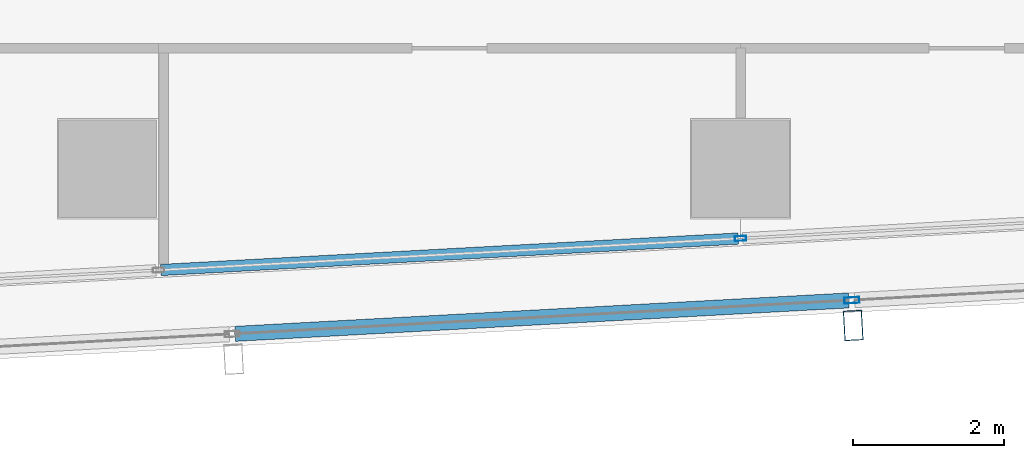
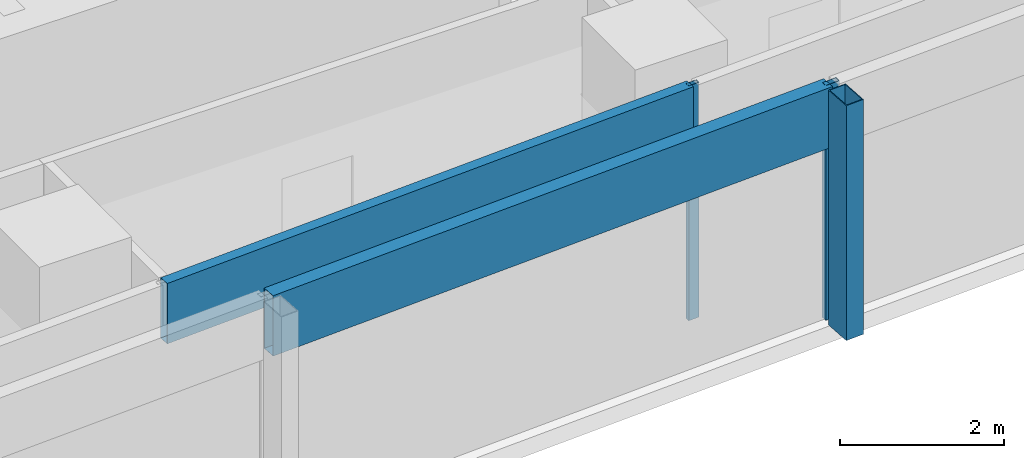
# One storey, part 8 of 28: 5 members, 2 elements without a shape of their own.
"""IFC4 building model written with IfcOpenShell, lengths in metres."""

from ifc_helpers import new_model, si_unit, direction, frame, origin, origin_2d, place, context, subcontext, project, spatial, hollow_rectangle, extrude, material, material_profile, profile_set, type_object, element, aggregate, save


model = new_model("IFC4")

# Units and contexts
model_context = context("Model", 3, precision=1e-05, world=origin(), true_north=direction((0.0, 1.0)))
body_context = subcontext(model_context, "Body", "Model", "MODEL_VIEW")
ifc_project = project(units=[si_unit("LENGTHUNIT", "METRE"), si_unit("AREAUNIT", "SQUARE_METRE"), si_unit("VOLUMEUNIT", "CUBIC_METRE"), si_unit("PLANEANGLEUNIT", "RADIAN"), si_unit("MASSUNIT", "GRAM", prefix="KILO")], contexts=[model_context])

# Site, building, storey
site_placement = place(None, origin())
site = spatial("IfcSite", under=ifc_project, at=site_placement, CompositionType="ELEMENT")
building_placement = place(site_placement, origin())
building = spatial("IfcBuilding", under=site, at=building_placement, Name="Rekha Terrace Tower", CompositionType="ELEMENT")
storey_placement = place(building_placement, frame((0.0, 0.0, 268.85009765625)))
storey = spatial("IfcBuildingStorey", under=building, at=storey_placement, Name="L68", CompositionType="ELEMENT", Elevation=268.85009765625)

# Curtain wall, member
ifc_material_1 = material(Name="Aluminium framing", Category="aluminium")
curtain_wall_type_1 = type_object("IfcCurtainWallType", Name="CW2 double skin outer glazing", PredefinedType="USERDEFINED", material=ifc_material_1)
curtain_wall_1_placement = place(storey_placement, origin())
curtain_wall_1 = element("IfcCurtainWall", 1, at=curtain_wall_1_placement, inside=storey, type_object=curtain_wall_type_1, Name="CW2 double skin outer glazing", ObjectType="DOUBLE SKIN OUTER GLAZING", PredefinedType="USERDEFINED")
ifc_material_2 = material(Name="Steel S355 with fluorocarbon finish", Category="steel")
ifc_material_profile_1 = material_profile(ifc_material_2, hollow_rectangle(XDim=0.25, YDim=0.39990234375, WallThickness=0.012451171875, at=origin_2d()), Name="RHS400x250x12.5")
ifc_profile_set_1 = profile_set([ifc_material_profile_1], Name="Steel S355 with fluorocarbon finish")
member_type_1 = type_object("IfcMemberType", Name="BL1 facade blade RHS 400 x 250", PredefinedType="USERDEFINED", material=ifc_profile_set_1)
member_1_placement = place(storey_placement, frame((51.894775390625, 14.719482421875, 0.0), z_axis=(0.0, 0.0, 1.0), x_axis=(0.99851982155, 0.054389024366, 0.0)))
member_1 = element("IfcMember", 2, at=member_1_placement, type_object=member_type_1, Name="Facade blade", ObjectType="FACADE BLADE", PredefinedType="USERDEFINED", context=body_context, shape_type="SweptSolid", body=[
    extrude(hollow_rectangle(XDim=0.25, YDim=0.39990234375, WallThickness=0.012451171875, at=origin_2d()), origin(), (0.0, 0.0, 1.0), 3.5),
])

# Curtain wall, members
curtain_wall_type_2 = type_object("IfcCurtainWallType", Name="CW1 double skin inner glazing", PredefinedType="USERDEFINED", material=ifc_material_1)
curtain_wall_2_placement = place(storey_placement, origin())
curtain_wall_2 = element("IfcCurtainWall", 3, at=curtain_wall_2_placement, inside=storey, type_object=curtain_wall_type_2, Name="CW1 double skin inner glazing", ObjectType="DOUBLE SKIN INNER GLAZING", PredefinedType="USERDEFINED")
ifc_material_3 = material(Name="Aluminium mullion section", Category="aluminium")
ifc_material_profile_2 = material_profile(ifc_material_3, hollow_rectangle(XDim=0.06494140625, YDim=0.14990234375, WallThickness=0.00390625, at=origin_2d()), Name="AL RHS 65x150")
ifc_profile_set_2 = profile_set([ifc_material_profile_2], Name="Aluminium mullion section")
member_type_2 = type_object("IfcMemberType", Name="CW1 mullion RHS 65 x 150", PredefinedType="MULLION", material=ifc_profile_set_2)
member_2_placement = place(storey_placement, frame((50.399169921875, 15.875, 0.0), z_axis=(0.0, 0.0, 1.0), x_axis=(-0.054388903036, 0.998519828159, 0.0)))
member_2 = element("IfcMember", 4, at=member_2_placement, type_object=member_type_2, Name="CW1 mullion 4", PredefinedType="MULLION", context=body_context, shape_type="SweptSolid", body=[
    extrude(hollow_rectangle(XDim=0.06494140625, YDim=0.14990234375, WallThickness=0.00390625, at=origin_2d()), origin(), (0.0, 0.0, 1.0), 3.5),
])
ifc_material_4 = material(Name="Insulated aluminium spandrel box", Category="aluminium")
ifc_material_profile_3 = material_profile(ifc_material_4, hollow_rectangle(XDim=0.14990234375, YDim=0.89990234375, WallThickness=0.0029296875, at=origin_2d()), Name="AL SPANDREL BOX 150x900")
ifc_profile_set_3 = profile_set([ifc_material_profile_3], Name="Insulated aluminium spandrel box")
member_type_3 = type_object("IfcMemberType", Name="CW1 spandrel transom 150 x 900", PredefinedType="USERDEFINED", material=ifc_profile_set_3)
member_3_placement = place(storey_placement, frame((42.7060546875, 15.4560546875, 3.0498046875), z_axis=(0.998520078442, 0.054384307925, 0.0), x_axis=(-0.054384307925, 0.998520078442, 0.0)))
member_3 = element("IfcMember", 5, at=member_3_placement, type_object=member_type_3, Name="CW1 spandrel transom 3", ObjectType="TRANSOM", PredefinedType="USERDEFINED", context=body_context, shape_type="SweptSolid", body=[
    extrude(hollow_rectangle(XDim=0.14990234375, YDim=0.89990234375, WallThickness=0.0029296875, at=origin_2d()), origin(), (0.0, 0.0, 1.0), 7.672119140625),
])
aggregate(curtain_wall_2, [member_2, member_3])

# Member
ifc_material_profile_4 = material_profile(ifc_material_3, hollow_rectangle(XDim=0.080078125, YDim=0.199951171875, WallThickness=0.00390625, at=origin_2d()), Name="AL RHS 80x200")
ifc_profile_set_4 = profile_set([ifc_material_profile_4], Name="Aluminium mullion section")
member_type_4 = type_object("IfcMemberType", Name="CW2 mullion RHS 80 x 200", PredefinedType="MULLION", material=ifc_profile_set_4)
member_4_placement = place(storey_placement, frame((51.87646484375, 15.05419921875, 0.0), z_axis=(0.0, 0.0, 1.0), x_axis=(-0.054388903071, 0.998519828157, 0.0)))
member_4 = element("IfcMember", 6, at=member_4_placement, type_object=member_type_4, Name="CW2 mullion 4", PredefinedType="MULLION", context=body_context, shape_type="SweptSolid", body=[
    extrude(hollow_rectangle(XDim=0.080078125, YDim=0.199951171875, WallThickness=0.00390625, at=origin_2d()), origin(), (0.0, 0.0, 1.0), 3.5),
])

ifc_material_profile_5 = material_profile(ifc_material_4, hollow_rectangle(XDim=0.199951171875, YDim=0.89990234375, WallThickness=0.0029296875, at=origin_2d()), Name="AL SPANDREL BOX 200x900")
ifc_profile_set_5 = profile_set([ifc_material_profile_5], Name="Insulated aluminium spandrel box")
member_type_5 = type_object("IfcMemberType", Name="CW2 spandrel transom 200 x 900", PredefinedType="USERDEFINED", material=ifc_profile_set_5)
member_5_placement = place(storey_placement, frame((43.693115234375, 14.6083984375, 3.0498046875), z_axis=(0.998519642092, 0.054392318914, 0.0), x_axis=(-0.054392318914, 0.998519642092, 0.0)))
member_5 = element("IfcMember", 7, at=member_5_placement, type_object=member_type_5, Name="CW2 spandrel transom 3", ObjectType="TRANSOM", PredefinedType="USERDEFINED", context=body_context, shape_type="SweptSolid", body=[
    extrude(hollow_rectangle(XDim=0.199951171875, YDim=0.89990234375, WallThickness=0.0029296875, at=origin_2d()), origin(), (0.0, 0.0, 1.0), 8.155517578125),
])

aggregate(curtain_wall_1, [member_4, member_5, member_1])

save(model, "model.ifc")
